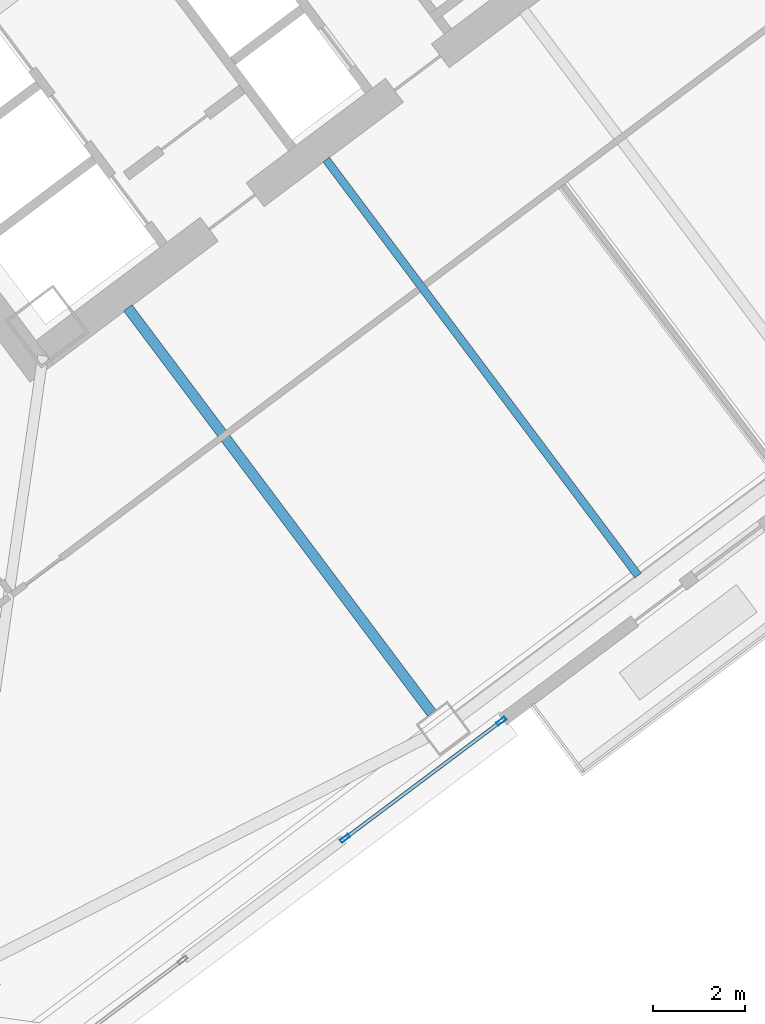
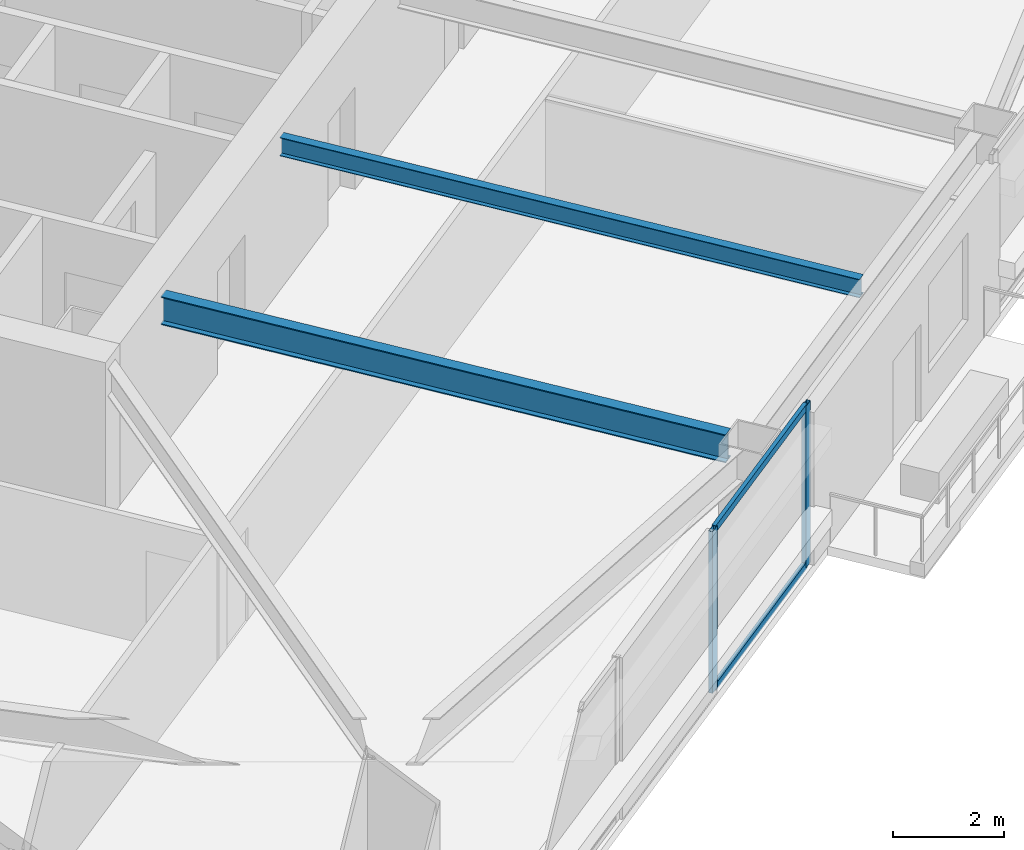
# One storey, part 25 of 47: 4 members, 2 beams, 1 element without a shape of its own.
"""IFC4 building model written with IfcOpenShell, lengths in metres."""

from ifc_helpers import new_model, si_unit, direction, frame, origin, origin_2d, place, context, subcontext, project, spatial, hollow_rectangle, i_section, extrude, material, material_profile, profile_set, type_object, element, aggregate, save


model = new_model("IFC4")

# Units and contexts
model_context = context("Model", 3, precision=1e-05, world=origin(), true_north=direction((0.0, 1.0)))
body_context = subcontext(model_context, "Body", "Model", "MODEL_VIEW")
ifc_project = project(units=[si_unit("LENGTHUNIT", "METRE"), si_unit("AREAUNIT", "SQUARE_METRE"), si_unit("VOLUMEUNIT", "CUBIC_METRE"), si_unit("PLANEANGLEUNIT", "RADIAN"), si_unit("MASSUNIT", "GRAM", prefix="KILO")], contexts=[model_context])

# Site, building, storey
site_placement = place(None, origin())
site = spatial("IfcSite", under=ifc_project, at=site_placement, CompositionType="ELEMENT")
building_placement = place(site_placement, origin())
building = spatial("IfcBuilding", under=site, at=building_placement, Name="Tashvorn Skyway Center", CompositionType="ELEMENT")
storey_placement = place(building_placement, frame((0.0, 0.0, 81.39990234375)))
storey = spatial("IfcBuildingStorey", under=building, at=storey_placement, Name="L21", CompositionType="ELEMENT", Elevation=81.39990234375)

# Beams
ifc_material_1 = material(Name="Steel ASTM A992 Grade 50", Category="steel")
ifc_material_profile_1 = material_profile(ifc_material_1, i_section(OverallWidth=0.22998046875, OverallDepth=0.616943359375, WebThickness=0.01318359375, FlangeThickness=0.022216796875, at=origin_2d()), Name="W24X94")
ifc_profile_set_1 = profile_set([ifc_material_profile_1], Name="Steel ASTM A992 Grade 50")
beam_type_1 = type_object("IfcBeamType", Name="BM-BEAM-W24X94", PredefinedType="BEAM", material=ifc_profile_set_1)
beam_1_placement = place(storey_placement, frame((120.97802734375, 13.696044921875, 3.04150390625), z_axis=(-0.60001414024, 0.799989394625, 0.0), x_axis=(-0.799989394625, -0.60001414024, 0.0)))
element("IfcBeam", 1, at=beam_1_placement, inside=storey, type_object=beam_type_1, Name="Tower 2 L21 Primary Floor Girder FC-S1", PredefinedType="BEAM", context=body_context, shape_type="SweptSolid", body=[
    extrude(i_section(OverallWidth=0.22998046875, OverallDepth=0.616943359375, WebThickness=0.01318359375, FlangeThickness=0.022216796875, at=origin_2d()), origin(), (0.0, 0.0, 1.0), 11.050048828125),
])
ifc_material_profile_2 = material_profile(ifc_material_1, i_section(OverallWidth=0.177978515625, OverallDepth=0.406005859375, WebThickness=0.0078125, FlangeThickness=0.0126953125, at=origin_2d()), Name="W16X40")
ifc_profile_set_2 = profile_set([ifc_material_profile_2], Name="Steel ASTM A992 Grade 50")
beam_type_2 = type_object("IfcBeamType", Name="BM-JOIST-W16X40", PredefinedType="JOIST", material=ifc_profile_set_2)
beam_2_placement = place(storey_placement, frame((118.674072265625, 25.76806640625, 3.147216796875), z_axis=(0.599996555327, -0.800002583493, 0.0), x_axis=(0.800002583493, 0.599996555327, 0.0)))
element("IfcBeam", 2, at=beam_2_placement, inside=storey, type_object=beam_type_2, Name="Tower 2 L21 Secondary Composite Joist JS", PredefinedType="JOIST", context=body_context, shape_type="SweptSolid", body=[
    extrude(i_section(OverallWidth=0.177978515625, OverallDepth=0.406005859375, WebThickness=0.0078125, FlangeThickness=0.0126953125, at=origin_2d()), origin(), (0.0, 0.0, 1.0), 11.340087890625),
])

# Curtain wall, members
ifc_material_2 = material(Name="Thermally broken bronze-anodized aluminium 6063-T6", Category="aluminium")
curtain_wall_type = type_object("IfcCurtainWallType", Name="CW-CW-Z2", PredefinedType="NOTDEFINED", material=ifc_material_2)
curtain_wall_placement = place(storey_placement, origin())
curtain_wall = element("IfcCurtainWall", 3, at=curtain_wall_placement, inside=storey, type_object=curtain_wall_type, Name="Tower 2 L21 South Curtain Wall R Glazing Group 1", PredefinedType="NOTDEFINED")
ifc_material_profile_3 = material_profile(ifc_material_2, hollow_rectangle(XDim=0.080078125, YDim=0.219970703125, WallThickness=0.0048828125, at=origin_2d()), Name="ALU-MULL-80x220")
ifc_profile_set_3 = profile_set([ifc_material_profile_3], Name="Thermally broken bronze-anodized aluminium 6063-T6")
member_type_1 = type_object("IfcMemberType", Name="CWM-CW-Z2", PredefinedType="MULLION", material=ifc_profile_set_3)
member_1_placement = place(storey_placement, frame((122.49609375, 13.52197265625, 0.0), z_axis=(0.0, 0.0, 1.0), x_axis=(0.599996316206, -0.800002762832, 0.0)))
member_1 = element("IfcMember", 4, at=member_1_placement, type_object=member_type_1, Name="CW-Z2 mullion 1", PredefinedType="MULLION", context=body_context, shape_type="SweptSolid", body=[
    extrude(hollow_rectangle(XDim=0.080078125, YDim=0.219970703125, WallThickness=0.0048828125, at=origin_2d()), origin(), (0.0, 0.0, 1.0), 3.550048828125),
])
member_2_placement = place(storey_placement, frame((119.085205078125, 10.964111328125, 0.0), z_axis=(0.0, 0.0, 1.0), x_axis=(0.599996316206, -0.800002762832, 0.0)))
member_2 = element("IfcMember", 5, at=member_2_placement, type_object=member_type_1, Name="CW-Z2 mullion 2", PredefinedType="MULLION", context=body_context, shape_type="SweptSolid", body=[
    extrude(hollow_rectangle(XDim=0.080078125, YDim=0.219970703125, WallThickness=0.0048828125, at=origin_2d()), origin(), (0.0, 0.0, 1.0), 3.550048828125),
])
ifc_material_profile_4 = material_profile(ifc_material_2, hollow_rectangle(XDim=0.080078125, YDim=0.14990234375, WallThickness=0.00439453125, at=origin_2d()), Name="ALU-TRAN-80x150")
ifc_profile_set_4 = profile_set([ifc_material_profile_4], Name="Thermally broken bronze-anodized aluminium 6063-T6")
member_type_2 = type_object("IfcMemberType", Name="CWT-CW-Z2", PredefinedType="USERDEFINED", material=ifc_profile_set_4)
member_3_placement = place(storey_placement, frame((122.464111328125, 13.498046875, 0.0400390625), z_axis=(-0.800021008158, -0.599971988101, 0.0), x_axis=(0.599971988101, -0.800021008158, 0.0)))
member_3 = element("IfcMember", 6, at=member_3_placement, type_object=member_type_2, Name="CW-Z2 transom 1.1", ObjectType="TRANSOM", PredefinedType="USERDEFINED", context=body_context, shape_type="SweptSolid", body=[
    extrude(hollow_rectangle(XDim=0.080078125, YDim=0.14990234375, WallThickness=0.00439453125, at=origin_2d()), origin(), (0.0, 0.0, 1.0), 4.18359375),
])
member_4_placement = place(storey_placement, frame((122.464111328125, 13.498046875, 3.510009765625), z_axis=(-0.800021008158, -0.599971988101, 0.0), x_axis=(0.599971988101, -0.800021008158, 0.0)))
member_4 = element("IfcMember", 7, at=member_4_placement, type_object=member_type_2, Name="CW-Z2 transom 1.2", ObjectType="TRANSOM", PredefinedType="USERDEFINED", context=body_context, shape_type="SweptSolid", body=[
    extrude(hollow_rectangle(XDim=0.080078125, YDim=0.14990234375, WallThickness=0.00439453125, at=origin_2d()), origin(), (0.0, 0.0, 1.0), 4.18359375),
])
aggregate(curtain_wall, [member_1, member_2, member_3, member_4])

save(model, "model.ifc")
